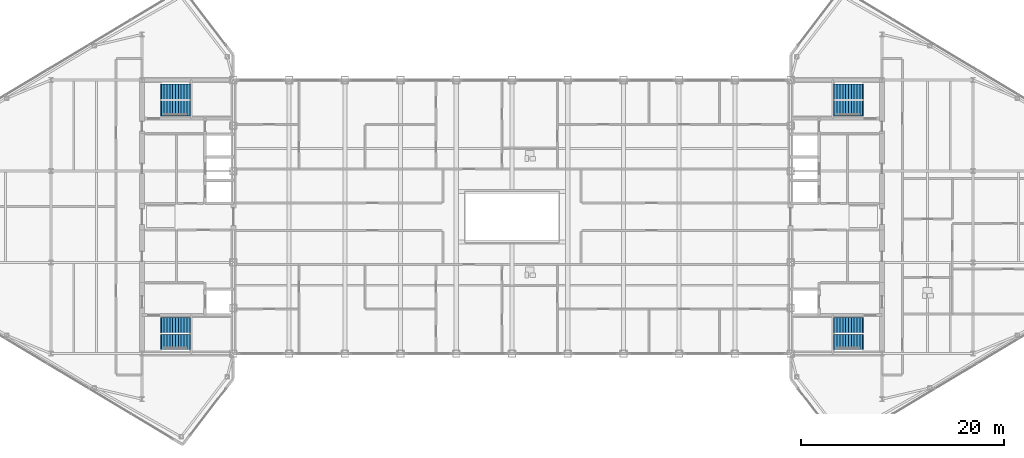
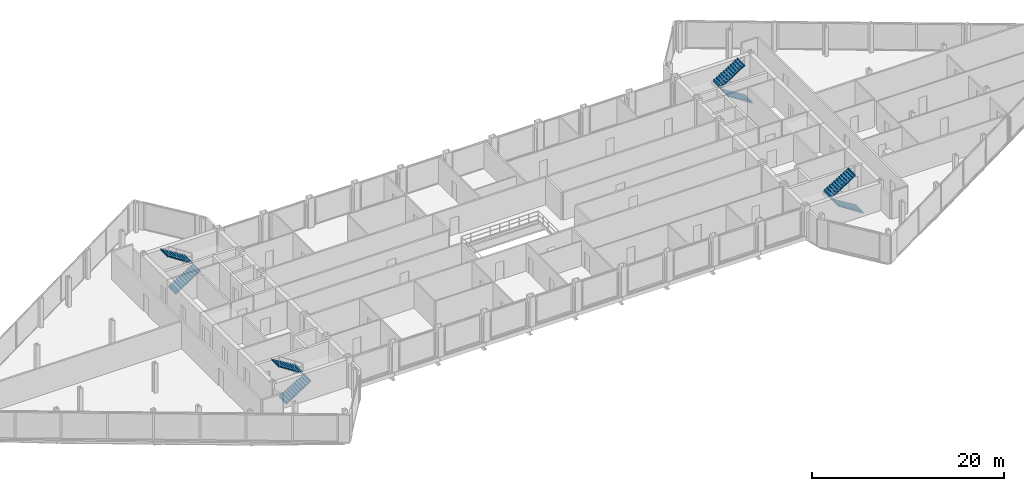
# One storey, part 26 of 28: 8 stair flights, 4 elements without a shape of their own.
"""IFC4 building model written with IfcOpenShell, lengths in metres."""

from ifc_helpers import new_model, si_unit, direction, frame, origin, place, context, subcontext, project, spatial, polyline, outline, extrude, material, type_object, element, aggregate, save


model = new_model("IFC4")

# Units and contexts
model_context = context("Model", 3, precision=1e-05, world=origin(), true_north=direction((0.0, 1.0)))
body_context = subcontext(model_context, "Body", "Model", "MODEL_VIEW")
ifc_project = project(units=[si_unit("LENGTHUNIT", "METRE"), si_unit("AREAUNIT", "SQUARE_METRE"), si_unit("VOLUMEUNIT", "CUBIC_METRE"), si_unit("PLANEANGLEUNIT", "RADIAN"), si_unit("MASSUNIT", "GRAM", prefix="KILO")], contexts=[model_context])

# Site, building, storey
site_placement = place(None, origin())
site = spatial("IfcSite", under=ifc_project, at=site_placement, CompositionType="ELEMENT")
building_placement = place(site_placement, origin())
building = spatial("IfcBuilding", under=site, at=building_placement, Name="Seokmaru Belvedere", CompositionType="ELEMENT")
storey_placement = place(building_placement, frame((0.0, 0.0, 265.64990234375)))
storey = spatial("IfcBuildingStorey", under=building, at=storey_placement, Name="L70", CompositionType="ELEMENT", Elevation=265.64990234375)

# Stair, stair flights
ifc_material = material(Name="Concrete C40 (40 MPa)", Category="concrete")
stair_type = type_object("IfcStairType", Name="Sky-Gate Residential Core Dog-Leg Stair 3750", PredefinedType="TWO_STRAIGHT_RUN_STAIR", material=ifc_material)
stair_1_placement = place(storey_placement, origin())
stair_1 = element("IfcStair", 1, at=stair_1_placement, inside=storey, type_object=stair_type, Name="L70 Special Escape Stair ST-W1", PredefinedType="TWO_STRAIGHT_RUN_STAIR")
stair_flight_type = type_object("IfcStairFlightType", Name="Reinforced Concrete Stair Flight 1500", PredefinedType="STRAIGHT", material=ifc_material)
stair_flight_1_placement = place(storey_placement, frame((-34.60009765625, -12.35009765625, 0.0), z_axis=(0.0, 0.0, 1.0), x_axis=(1.0, 0.0, 0.0)))
stair_flight_1 = element("IfcStairFlight", 2, at=stair_flight_1_placement, type_object=stair_flight_type, Name="ST-W1 flight 1", NumberOfRisers=11, NumberOfTreads=10, PredefinedType="STRAIGHT", RiserHeight=0.170454545, TreadLength=0.28, context=body_context, shape_type="SweptSolid", body=[
    extrude(outline(polyline([(-0.080078125, 0.0), (0.0, 0.17041015625), (0.280029296875, 0.17041015625), (0.280029296875, 0.3408203125), (0.56005859375, 0.3408203125), (0.56005859375, 0.511474609375), (0.840087890625, 0.511474609375), (0.840087890625, 0.681884765625), (1.1201171875, 0.681884765625), (1.1201171875, 0.852294921875), (1.39990234375, 0.852294921875), (1.39990234375, 1.022705078125), (1.679931640625, 1.022705078125), (1.679931640625, 1.193115234375), (1.9599609375, 1.193115234375), (1.9599609375, 1.363525390625), (2.239990234375, 1.363525390625), (2.239990234375, 1.5341796875), (2.52001953125, 1.5341796875), (2.52001953125, 1.70458984375), (2.800048828125, 1.70458984375), (2.800048828125, 1.875), (2.8798828125, 1.875), (2.8798828125, 1.68505859375), (2.800048828125, 1.68505859375), (0.0, -0.159912109375), (-0.080078125, -0.159912109375), (-0.080078125, 0.0)])), frame((0.0, 0.75, 0.0), z_axis=(0.0, -1.0, 0.0), x_axis=(1.0, 0.0, 0.0)), (0.0, 0.0, 1.0), 1.5),
])
stair_flight_2_placement = place(storey_placement, frame((-31.800048828125, -10.7099609375, 1.875), z_axis=(0.0, 0.0, 1.0), x_axis=(-1.0, 0.0, 0.0)))
stair_flight_2 = element("IfcStairFlight", 3, at=stair_flight_2_placement, type_object=stair_flight_type, Name="ST-W1 flight 2", NumberOfRisers=11, NumberOfTreads=10, PredefinedType="STRAIGHT", RiserHeight=0.170454545, TreadLength=0.28, context=body_context, shape_type="SweptSolid", body=[
    extrude(outline(polyline([(-0.080078125, 0.0), (0.0, 0.17041015625), (0.280029296875, 0.17041015625), (0.280029296875, 0.3408203125), (0.56005859375, 0.3408203125), (0.56005859375, 0.511474609375), (0.840087890625, 0.511474609375), (0.840087890625, 0.681884765625), (1.1201171875, 0.681884765625), (1.1201171875, 0.852294921875), (1.39990234375, 0.852294921875), (1.39990234375, 1.022705078125), (1.679931640625, 1.022705078125), (1.679931640625, 1.193115234375), (1.9599609375, 1.193115234375), (1.9599609375, 1.363525390625), (2.239990234375, 1.363525390625), (2.239990234375, 1.5341796875), (2.52001953125, 1.5341796875), (2.52001953125, 1.70458984375), (2.800048828125, 1.70458984375), (2.800048828125, 1.875), (2.8798828125, 1.875), (2.8798828125, 1.68505859375), (2.800048828125, 1.68505859375), (0.0, -0.159912109375), (-0.080078125, -0.159912109375), (-0.080078125, 0.0)])), frame((0.0, 0.75, 0.0), z_axis=(0.0, -1.0, 0.0), x_axis=(1.0, 0.0, 0.0)), (0.0, 0.0, 1.0), 1.5),
])
aggregate(stair_1, [stair_flight_1, stair_flight_2])

stair_2_placement = place(storey_placement, origin())
stair_2 = element("IfcStair", 4, at=stair_2_placement, inside=storey, type_object=stair_type, Name="L70 Special Escape Stair ST-W2", PredefinedType="TWO_STRAIGHT_RUN_STAIR")
stair_flight_3_placement = place(storey_placement, frame((-34.60009765625, 10.7099609375, 0.0), z_axis=(0.0, 0.0, 1.0), x_axis=(1.0, 0.0, 0.0)))
stair_flight_3 = element("IfcStairFlight", 5, at=stair_flight_3_placement, type_object=stair_flight_type, Name="ST-W2 flight 1", NumberOfRisers=11, NumberOfTreads=10, PredefinedType="STRAIGHT", RiserHeight=0.170454545, TreadLength=0.28, context=body_context, shape_type="SweptSolid", body=[
    extrude(outline(polyline([(-0.080078125, 0.0), (0.0, 0.17041015625), (0.280029296875, 0.17041015625), (0.280029296875, 0.3408203125), (0.56005859375, 0.3408203125), (0.56005859375, 0.511474609375), (0.840087890625, 0.511474609375), (0.840087890625, 0.681884765625), (1.1201171875, 0.681884765625), (1.1201171875, 0.852294921875), (1.39990234375, 0.852294921875), (1.39990234375, 1.022705078125), (1.679931640625, 1.022705078125), (1.679931640625, 1.193115234375), (1.9599609375, 1.193115234375), (1.9599609375, 1.363525390625), (2.239990234375, 1.363525390625), (2.239990234375, 1.5341796875), (2.52001953125, 1.5341796875), (2.52001953125, 1.70458984375), (2.800048828125, 1.70458984375), (2.800048828125, 1.875), (2.8798828125, 1.875), (2.8798828125, 1.68505859375), (2.800048828125, 1.68505859375), (0.0, -0.159912109375), (-0.080078125, -0.159912109375), (-0.080078125, 0.0)])), frame((0.0, 0.75, 0.0), z_axis=(0.0, -1.0, 0.0), x_axis=(1.0, 0.0, 0.0)), (0.0, 0.0, 1.0), 1.5),
])
stair_flight_4_placement = place(storey_placement, frame((-31.800048828125, 12.35009765625, 1.875), z_axis=(0.0, 0.0, 1.0), x_axis=(-1.0, 0.0, 0.0)))
stair_flight_4 = element("IfcStairFlight", 6, at=stair_flight_4_placement, type_object=stair_flight_type, Name="ST-W2 flight 2", NumberOfRisers=11, NumberOfTreads=10, PredefinedType="STRAIGHT", RiserHeight=0.170454545, TreadLength=0.28, context=body_context, shape_type="SweptSolid", body=[
    extrude(outline(polyline([(-0.080078125, 0.0), (0.0, 0.17041015625), (0.280029296875, 0.17041015625), (0.280029296875, 0.3408203125), (0.56005859375, 0.3408203125), (0.56005859375, 0.511474609375), (0.840087890625, 0.511474609375), (0.840087890625, 0.681884765625), (1.1201171875, 0.681884765625), (1.1201171875, 0.852294921875), (1.39990234375, 0.852294921875), (1.39990234375, 1.022705078125), (1.679931640625, 1.022705078125), (1.679931640625, 1.193115234375), (1.9599609375, 1.193115234375), (1.9599609375, 1.363525390625), (2.239990234375, 1.363525390625), (2.239990234375, 1.5341796875), (2.52001953125, 1.5341796875), (2.52001953125, 1.70458984375), (2.800048828125, 1.70458984375), (2.800048828125, 1.875), (2.8798828125, 1.875), (2.8798828125, 1.68505859375), (2.800048828125, 1.68505859375), (0.0, -0.159912109375), (-0.080078125, -0.159912109375), (-0.080078125, 0.0)])), frame((0.0, 0.75, 0.0), z_axis=(0.0, -1.0, 0.0), x_axis=(1.0, 0.0, 0.0)), (0.0, 0.0, 1.0), 1.5),
])
aggregate(stair_2, [stair_flight_3, stair_flight_4])

stair_3_placement = place(storey_placement, origin())
stair_3 = element("IfcStair", 7, at=stair_3_placement, inside=storey, type_object=stair_type, Name="L70 Special Escape Stair ST-E1", PredefinedType="TWO_STRAIGHT_RUN_STAIR")
stair_flight_5_placement = place(storey_placement, frame((34.60009765625, -12.35009765625, 0.0), z_axis=(0.0, 0.0, 1.0), x_axis=(-1.0, 0.0, 0.0)))
stair_flight_5 = element("IfcStairFlight", 8, at=stair_flight_5_placement, type_object=stair_flight_type, Name="ST-E1 flight 1", NumberOfRisers=11, NumberOfTreads=10, PredefinedType="STRAIGHT", RiserHeight=0.170454545, TreadLength=0.28, context=body_context, shape_type="SweptSolid", body=[
    extrude(outline(polyline([(-0.080078125, 0.0), (0.0, 0.17041015625), (0.280029296875, 0.17041015625), (0.280029296875, 0.3408203125), (0.56005859375, 0.3408203125), (0.56005859375, 0.511474609375), (0.840087890625, 0.511474609375), (0.840087890625, 0.681884765625), (1.1201171875, 0.681884765625), (1.1201171875, 0.852294921875), (1.39990234375, 0.852294921875), (1.39990234375, 1.022705078125), (1.679931640625, 1.022705078125), (1.679931640625, 1.193115234375), (1.9599609375, 1.193115234375), (1.9599609375, 1.363525390625), (2.239990234375, 1.363525390625), (2.239990234375, 1.5341796875), (2.52001953125, 1.5341796875), (2.52001953125, 1.70458984375), (2.800048828125, 1.70458984375), (2.800048828125, 1.875), (2.8798828125, 1.875), (2.8798828125, 1.68505859375), (2.800048828125, 1.68505859375), (0.0, -0.159912109375), (-0.080078125, -0.159912109375), (-0.080078125, 0.0)])), frame((0.0, 0.75, 0.0), z_axis=(0.0, -1.0, 0.0), x_axis=(1.0, 0.0, 0.0)), (0.0, 0.0, 1.0), 1.5),
])
stair_flight_6_placement = place(storey_placement, frame((31.800048828125, -10.7099609375, 1.875), z_axis=(0.0, 0.0, 1.0), x_axis=(1.0, 0.0, 0.0)))
stair_flight_6 = element("IfcStairFlight", 9, at=stair_flight_6_placement, type_object=stair_flight_type, Name="ST-E1 flight 2", NumberOfRisers=11, NumberOfTreads=10, PredefinedType="STRAIGHT", RiserHeight=0.170454545, TreadLength=0.28, context=body_context, shape_type="SweptSolid", body=[
    extrude(outline(polyline([(-0.080078125, 0.0), (0.0, 0.17041015625), (0.280029296875, 0.17041015625), (0.280029296875, 0.3408203125), (0.56005859375, 0.3408203125), (0.56005859375, 0.511474609375), (0.840087890625, 0.511474609375), (0.840087890625, 0.681884765625), (1.1201171875, 0.681884765625), (1.1201171875, 0.852294921875), (1.39990234375, 0.852294921875), (1.39990234375, 1.022705078125), (1.679931640625, 1.022705078125), (1.679931640625, 1.193115234375), (1.9599609375, 1.193115234375), (1.9599609375, 1.363525390625), (2.239990234375, 1.363525390625), (2.239990234375, 1.5341796875), (2.52001953125, 1.5341796875), (2.52001953125, 1.70458984375), (2.800048828125, 1.70458984375), (2.800048828125, 1.875), (2.8798828125, 1.875), (2.8798828125, 1.68505859375), (2.800048828125, 1.68505859375), (0.0, -0.159912109375), (-0.080078125, -0.159912109375), (-0.080078125, 0.0)])), frame((0.0, 0.75, 0.0), z_axis=(0.0, -1.0, 0.0), x_axis=(1.0, 0.0, 0.0)), (0.0, 0.0, 1.0), 1.5),
])
aggregate(stair_3, [stair_flight_5, stair_flight_6])

stair_4_placement = place(storey_placement, origin())
stair_4 = element("IfcStair", 10, at=stair_4_placement, inside=storey, type_object=stair_type, Name="L70 Special Escape Stair ST-E2", PredefinedType="TWO_STRAIGHT_RUN_STAIR")
stair_flight_7_placement = place(storey_placement, frame((34.60009765625, 10.7099609375, 0.0), z_axis=(0.0, 0.0, 1.0), x_axis=(-1.0, 0.0, 0.0)))
stair_flight_7 = element("IfcStairFlight", 11, at=stair_flight_7_placement, type_object=stair_flight_type, Name="ST-E2 flight 1", NumberOfRisers=11, NumberOfTreads=10, PredefinedType="STRAIGHT", RiserHeight=0.170454545, TreadLength=0.28, context=body_context, shape_type="SweptSolid", body=[
    extrude(outline(polyline([(-0.080078125, 0.0), (0.0, 0.17041015625), (0.280029296875, 0.17041015625), (0.280029296875, 0.3408203125), (0.56005859375, 0.3408203125), (0.56005859375, 0.511474609375), (0.840087890625, 0.511474609375), (0.840087890625, 0.681884765625), (1.1201171875, 0.681884765625), (1.1201171875, 0.852294921875), (1.39990234375, 0.852294921875), (1.39990234375, 1.022705078125), (1.679931640625, 1.022705078125), (1.679931640625, 1.193115234375), (1.9599609375, 1.193115234375), (1.9599609375, 1.363525390625), (2.239990234375, 1.363525390625), (2.239990234375, 1.5341796875), (2.52001953125, 1.5341796875), (2.52001953125, 1.70458984375), (2.800048828125, 1.70458984375), (2.800048828125, 1.875), (2.8798828125, 1.875), (2.8798828125, 1.68505859375), (2.800048828125, 1.68505859375), (0.0, -0.159912109375), (-0.080078125, -0.159912109375), (-0.080078125, 0.0)])), frame((0.0, 0.75, 0.0), z_axis=(0.0, -1.0, 0.0), x_axis=(1.0, 0.0, 0.0)), (0.0, 0.0, 1.0), 1.5),
])
stair_flight_8_placement = place(storey_placement, frame((31.800048828125, 12.35009765625, 1.875), z_axis=(0.0, 0.0, 1.0), x_axis=(1.0, 0.0, 0.0)))
stair_flight_8 = element("IfcStairFlight", 12, at=stair_flight_8_placement, type_object=stair_flight_type, Name="ST-E2 flight 2", NumberOfRisers=11, NumberOfTreads=10, PredefinedType="STRAIGHT", RiserHeight=0.170454545, TreadLength=0.28, context=body_context, shape_type="SweptSolid", body=[
    extrude(outline(polyline([(-0.080078125, 0.0), (0.0, 0.17041015625), (0.280029296875, 0.17041015625), (0.280029296875, 0.3408203125), (0.56005859375, 0.3408203125), (0.56005859375, 0.511474609375), (0.840087890625, 0.511474609375), (0.840087890625, 0.681884765625), (1.1201171875, 0.681884765625), (1.1201171875, 0.852294921875), (1.39990234375, 0.852294921875), (1.39990234375, 1.022705078125), (1.679931640625, 1.022705078125), (1.679931640625, 1.193115234375), (1.9599609375, 1.193115234375), (1.9599609375, 1.363525390625), (2.239990234375, 1.363525390625), (2.239990234375, 1.5341796875), (2.52001953125, 1.5341796875), (2.52001953125, 1.70458984375), (2.800048828125, 1.70458984375), (2.800048828125, 1.875), (2.8798828125, 1.875), (2.8798828125, 1.68505859375), (2.800048828125, 1.68505859375), (0.0, -0.159912109375), (-0.080078125, -0.159912109375), (-0.080078125, 0.0)])), frame((0.0, 0.75, 0.0), z_axis=(0.0, -1.0, 0.0), x_axis=(1.0, 0.0, 0.0)), (0.0, 0.0, 1.0), 1.5),
])
aggregate(stair_4, [stair_flight_7, stair_flight_8])

save(model, "model.ifc")
